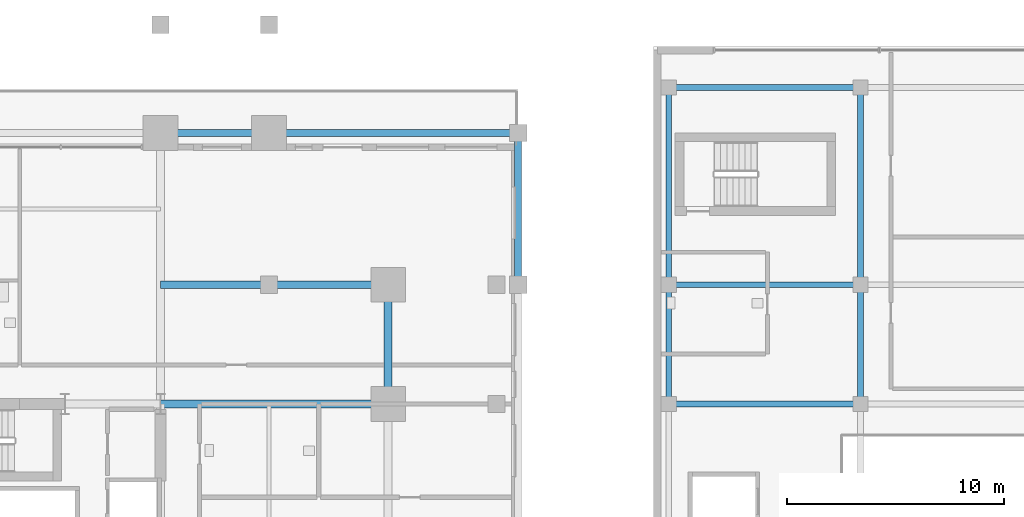
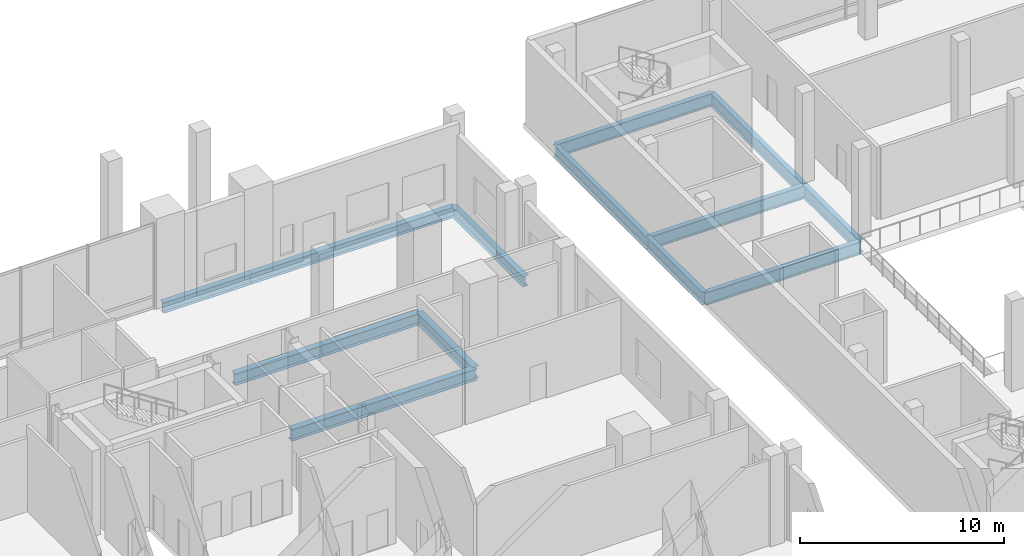
# One storey, part 6 of 22: 14 beams.
"""IFC4 building model written with IfcOpenShell, lengths in metres."""

from ifc_helpers import new_model, si_unit, direction, frame, origin, origin_2d, place, context, subcontext, project, spatial, i_section, extrude, material, material_profile, profile_set, type_object, element, save


model = new_model("IFC4")

# Units and contexts
model_context = context("Model", 3, precision=1e-05, world=origin(), true_north=direction((0.0, 1.0)))
body_context = subcontext(model_context, "Body", "Model", "MODEL_VIEW")
ifc_project = project(units=[si_unit("LENGTHUNIT", "METRE"), si_unit("AREAUNIT", "SQUARE_METRE"), si_unit("VOLUMEUNIT", "CUBIC_METRE"), si_unit("PLANEANGLEUNIT", "RADIAN"), si_unit("MASSUNIT", "GRAM", prefix="KILO")], contexts=[model_context])

# Site, building, storey
site_placement = place(None, origin())
site = spatial("IfcSite", under=ifc_project, at=site_placement, CompositionType="ELEMENT")
building_placement = place(site_placement, origin())
building = spatial("IfcBuilding", under=site, at=building_placement, Name="Barlavira Tower and Art Museum", CompositionType="ELEMENT")
storey_placement = place(building_placement, frame((0.0, 0.0, 16.800048828125)))
storey = spatial("IfcBuildingStorey", under=building, at=storey_placement, Name="L03", CompositionType="ELEMENT", Elevation=16.800048828125)

# Beams
ifc_material = material(Name="Steel S355", Category="steel")
ifc_material_profile_1 = material_profile(ifc_material, i_section(OverallWidth=0.26904296875, OverallDepth=0.76806640625, WebThickness=0.016845703125, FlangeThickness=0.026611328125, at=origin_2d()), Name="W760x220.0")
ifc_profile_set_1 = profile_set([ifc_material_profile_1], Name="Steel S355")
beam_type_1 = type_object("IfcBeamType", Name="Museum Long-Span Gallery Girder W760x220 Steel S355", PredefinedType="BEAM", material=ifc_profile_set_1)
beam_1_placement = place(storey_placement, frame((29.949951171875, 7.5, -0.7041015625), z_axis=(0.0, 1.0, 0.0), x_axis=(-1.0, 0.0, 0.0)))
element("IfcBeam", 1, at=beam_1_placement, inside=storey, type_object=beam_type_1, Name="L03 Museum Girder Y 1-4", PredefinedType="BEAM", context=body_context, shape_type="SweptSolid", body=[
    extrude(i_section(OverallWidth=0.26904296875, OverallDepth=0.76806640625, WebThickness=0.016845703125, FlangeThickness=0.026611328125, at=origin_2d()), origin(), (0.0, 0.0, 1.0), 5.5),
])
beam_2_placement = place(storey_placement, frame((29.949951171875, 13.0, -0.7041015625), z_axis=(0.0, 1.0, 0.0), x_axis=(-1.0, 0.0, 0.0)))
element("IfcBeam", 2, at=beam_2_placement, inside=storey, type_object=beam_type_1, Name="L03 Museum Girder Y 1-5", PredefinedType="BEAM", context=body_context, shape_type="SweptSolid", body=[
    extrude(i_section(OverallWidth=0.26904296875, OverallDepth=0.76806640625, WebThickness=0.016845703125, FlangeThickness=0.026611328125, at=origin_2d()), origin(), (0.0, 0.0, 1.0), 9.10009765625),
])
beam_3_placement = place(storey_placement, frame((38.800048828125, 7.5, -0.7041015625), z_axis=(0.0, 1.0, 0.0), x_axis=(-1.0, 0.0, 0.0)))
element("IfcBeam", 3, at=beam_3_placement, inside=storey, type_object=beam_type_1, Name="L03 Museum Girder Y 2-4", PredefinedType="BEAM", context=body_context, shape_type="SweptSolid", body=[
    extrude(i_section(OverallWidth=0.26904296875, OverallDepth=0.76806640625, WebThickness=0.016845703125, FlangeThickness=0.026611328125, at=origin_2d()), origin(), (0.0, 0.0, 1.0), 5.5),
])
beam_4_placement = place(storey_placement, frame((38.800048828125, 13.0, -0.7041015625), z_axis=(0.0, 1.0, 0.0), x_axis=(-1.0, 0.0, 0.0)))
element("IfcBeam", 4, at=beam_4_placement, inside=storey, type_object=beam_type_1, Name="L03 Museum Girder Y 2-5", PredefinedType="BEAM", context=body_context, shape_type="SweptSolid", body=[
    extrude(i_section(OverallWidth=0.26904296875, OverallDepth=0.76806640625, WebThickness=0.016845703125, FlangeThickness=0.026611328125, at=origin_2d()), origin(), (0.0, 0.0, 1.0), 9.10009765625),
])
for number, where, z_axis, x_axis, name in (
    (5, (29.949951171875, 7.5, -0.7041015625), (1.0, 0.0, 0.0), (0.0, 1.0, 0.0), "L03 Museum Girder X 4-1"),
    (6, (29.949951171875, 13.0, -0.7041015625), (1.0, 0.0, 0.0), (0.0, 1.0, 0.0), "L03 Museum Girder X 5-1"),
    (7, (29.949951171875, 22.10009765625, -0.7041015625), (1.0, 0.0, 0.0), (0.0, 1.0, 0.0), "L03 Museum Girder X 6-1"),
):
    element("IfcBeam", number, at=place(storey_placement, frame(where, z_axis=z_axis, x_axis=x_axis)), inside=storey, type_object=beam_type_1, Name=name, PredefinedType="BEAM", context=body_context, shape_type="SweptSolid", body=[
        extrude(i_section(OverallWidth=0.26904296875, OverallDepth=0.76806640625, WebThickness=0.016845703125, FlangeThickness=0.026611328125, at=origin_2d()), origin(), (0.0, 0.0, 1.0), 8.85009765625),
    ])
ifc_material_profile_2 = material_profile(ifc_material, i_section(OverallWidth=0.327880859375, OverallDepth=0.62890625, WebThickness=0.013916015625, FlangeThickness=0.021484375, at=origin_2d()), Name="W610x174.0")
ifc_profile_set_2 = profile_set([ifc_material_profile_2], Name="Steel S355")
beam_type_2 = type_object("IfcBeamType", Name="Perimeter Spandrel Edge Beam W610x174 Steel S355", PredefinedType="SPANDREL", material=ifc_profile_set_2)
beam_5_placement = place(storey_placement, frame((6.5, 20.0, -0.594482421875), z_axis=(1.0, 0.0, 0.0), x_axis=(0.0, 1.0, 0.0)))
element("IfcBeam", 8, at=beam_5_placement, inside=storey, type_object=beam_type_2, Name="L03 Podium Spandrel PN4", PredefinedType="SPANDREL", context=body_context, shape_type="SweptSolid", body=[
    extrude(i_section(OverallWidth=0.327880859375, OverallDepth=0.62890625, WebThickness=0.013916015625, FlangeThickness=0.021484375, at=origin_2d()), origin(), (0.0, 0.0, 1.0), 5.0),
])
beam_6_placement = place(storey_placement, frame((11.5, 20.0, -0.594482421875), z_axis=(1.0, 0.0, 0.0), x_axis=(0.0, 1.0, 0.0)))
element("IfcBeam", 9, at=beam_6_placement, inside=storey, type_object=beam_type_2, Name="L03 Podium Spandrel PN5", PredefinedType="SPANDREL", context=body_context, shape_type="SweptSolid", body=[
    extrude(i_section(OverallWidth=0.327880859375, OverallDepth=0.62890625, WebThickness=0.013916015625, FlangeThickness=0.021484375, at=origin_2d()), origin(), (0.0, 0.0, 1.0), 11.5),
])
beam_7_placement = place(storey_placement, frame((23.0, 13.0, -0.594482421875), z_axis=(0.0, 1.0, 0.0), x_axis=(-1.0, 0.0, 0.0)))
element("IfcBeam", 10, at=beam_7_placement, inside=storey, type_object=beam_type_2, Name="L03 Podium Spandrel PE3", PredefinedType="SPANDREL", context=body_context, shape_type="SweptSolid", body=[
    extrude(i_section(OverallWidth=0.327880859375, OverallDepth=0.62890625, WebThickness=0.013916015625, FlangeThickness=0.021484375, at=origin_2d()), origin(), (0.0, 0.0, 1.0), 7.0),
])
ifc_material_profile_3 = material_profile(ifc_material, i_section(OverallWidth=0.35595703125, OverallDepth=0.695068359375, WebThickness=0.014892578125, FlangeThickness=0.023681640625, at=origin_2d()), Name="W690x192.0")
ifc_profile_set_3 = profile_set([ifc_material_profile_3], Name="Steel S355")
beam_type_3 = type_object("IfcBeamType", Name="Podium Primary Girder W690x192 Steel S355", PredefinedType="BEAM", material=ifc_profile_set_3)
beam_8_placement = place(storey_placement, frame((17.0, 7.5, -0.62744140625), z_axis=(0.0, 1.0, 0.0), x_axis=(-1.0, 0.0, 0.0)))
element("IfcBeam", 11, at=beam_8_placement, inside=storey, type_object=beam_type_3, Name="L03 Girder M-E3", PredefinedType="BEAM", context=body_context, shape_type="SweptSolid", body=[
    extrude(i_section(OverallWidth=0.35595703125, OverallDepth=0.695068359375, WebThickness=0.014892578125, FlangeThickness=0.023681640625, at=origin_2d()), origin(), (0.0, 0.0, 1.0), 5.5),
])
beam_9_placement = place(storey_placement, frame((6.5, 7.5, -0.62744140625), z_axis=(1.0, 0.0, 0.0), x_axis=(0.0, 1.0, 0.0)))
element("IfcBeam", 12, at=beam_9_placement, inside=storey, type_object=beam_type_3, Name="L03 Girder R-E2", PredefinedType="BEAM", context=body_context, shape_type="SweptSolid", body=[
    extrude(i_section(OverallWidth=0.35595703125, OverallDepth=0.695068359375, WebThickness=0.014892578125, FlangeThickness=0.023681640625, at=origin_2d()), origin(), (0.0, 0.0, 1.0), 10.5),
])
beam_10_placement = place(storey_placement, frame((6.5, 13.0, -0.62744140625), z_axis=(1.0, 0.0, 0.0), x_axis=(0.0, 1.0, 0.0)))
element("IfcBeam", 13, at=beam_10_placement, inside=storey, type_object=beam_type_3, Name="L03 Girder I-N3", PredefinedType="BEAM", context=body_context, shape_type="SweptSolid", body=[
    extrude(i_section(OverallWidth=0.35595703125, OverallDepth=0.695068359375, WebThickness=0.014892578125, FlangeThickness=0.023681640625, at=origin_2d()), origin(), (0.0, 0.0, 1.0), 5.0),
])
beam_11_placement = place(storey_placement, frame((11.5, 13.0, -0.62744140625), z_axis=(1.0, 0.0, 0.0), x_axis=(0.0, 1.0, 0.0)))
element("IfcBeam", 14, at=beam_11_placement, inside=storey, type_object=beam_type_3, Name="L03 Girder I-N4", PredefinedType="BEAM", context=body_context, shape_type="SweptSolid", body=[
    extrude(i_section(OverallWidth=0.35595703125, OverallDepth=0.695068359375, WebThickness=0.014892578125, FlangeThickness=0.023681640625, at=origin_2d()), origin(), (0.0, 0.0, 1.0), 5.5),
])

save(model, "model.ifc")
